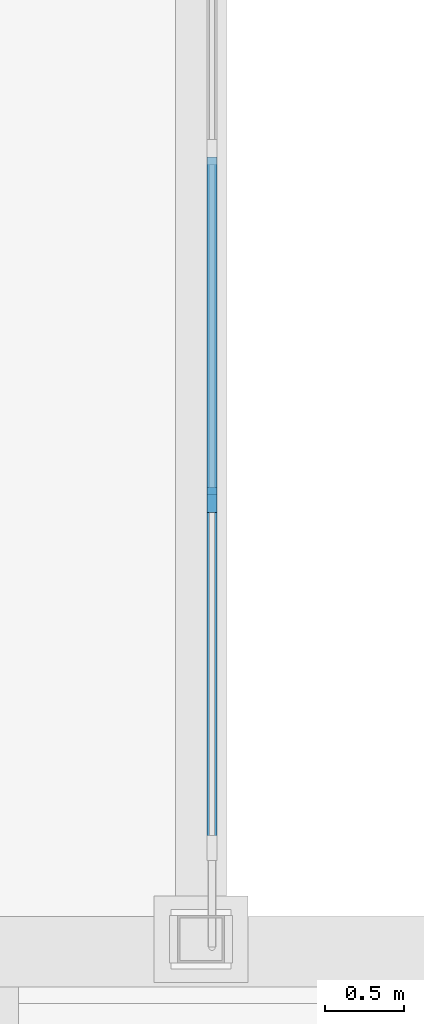
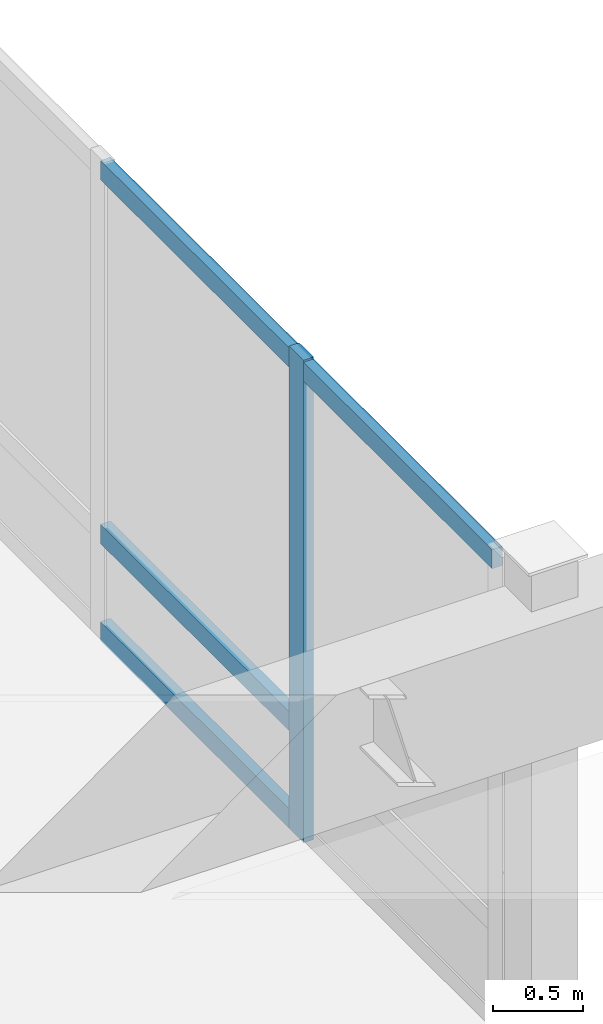
# One storey, part 44 of 118: 5 members, 1 element without a shape of its own.
"""IFC4 building model written with IfcOpenShell, lengths in metres."""

from ifc_helpers import new_model, si_unit, direction, frame, origin, origin_2d, place, context, subcontext, project, spatial, rectangle, extrude, material, material_profile, profile_set, type_object, element, aggregate, save


model = new_model("IFC4")

# Units and contexts
model_context = context("Model", 3, precision=1e-05, world=origin(), true_north=direction((0.0, 1.0)))
body_context = subcontext(model_context, "Body", "Model", "MODEL_VIEW")
ifc_project = project(units=[si_unit("LENGTHUNIT", "METRE"), si_unit("AREAUNIT", "SQUARE_METRE"), si_unit("VOLUMEUNIT", "CUBIC_METRE"), si_unit("PLANEANGLEUNIT", "RADIAN"), si_unit("MASSUNIT", "GRAM", prefix="KILO")], contexts=[model_context])

# Site, building, storey
site_placement = place(None, origin())
site = spatial("IfcSite", under=ifc_project, at=site_placement, CompositionType="ELEMENT")
building_placement = place(site_placement, origin())
building = spatial("IfcBuilding", under=site, at=building_placement, Name="Cumbredor Promenade Congress Hotel", CompositionType="ELEMENT")
storey_placement = place(building_placement, frame((0.0, 0.0, 3.919921875)))
storey = spatial("IfcBuildingStorey", under=building, at=storey_placement, Name="L01", CompositionType="ELEMENT", Elevation=3.919921875)

# Curtain wall, members
ifc_material_1 = material(Name="Thermally broken anodized aluminium and low-E glass", Category="aluminium")
curtain_wall_type = type_object("IfcCurtainWallType", Name="Unitised Bridge Glazing Screen CW-05", PredefinedType="NOTDEFINED", material=ifc_material_1)
curtain_wall_placement = place(storey_placement, origin())
curtain_wall = element("IfcCurtainWall", 1, at=curtain_wall_placement, inside=storey, type_object=curtain_wall_type, Name="L01 East Ballroom-to-Forum Glazed Bridge East Glazing Screen", PredefinedType="NOTDEFINED")
ifc_material_2 = material(Name="Thermally broken anodized aluminium", Category="aluminium")
ifc_material_profile_1 = material_profile(ifc_material_2, rectangle(XDim=0.06494140625, YDim=0.159912109375, at=origin_2d()), Name="ALU MULLION 65x160")
ifc_profile_set_1 = profile_set([ifc_material_profile_1], Name="Thermally broken anodized aluminium")
member_type_1 = type_object("IfcMemberType", Name="Curtain Wall Mullion ML-01", PredefinedType="MULLION", material=ifc_profile_set_1)
member_1_placement = place(storey_placement, frame((155.320068359375, 70.0712890625, -0.0078125), z_axis=(0.0, 0.0, 1.0), x_axis=(1.0, 0.0, 0.0)))
member_1 = element("IfcMember", 2, at=member_1_placement, type_object=member_type_1, Name="L01 East Ballroom-to-Forum Glazed Bridge East Glazing Screen Mullion 2", PredefinedType="MULLION", context=body_context, shape_type="SweptSolid", body=[
    extrude(rectangle(XDim=0.06494140625, YDim=0.159912109375, at=origin_2d()), origin(), (0.0, 0.0, 1.0), 3.27587890625),
])
ifc_material_profile_2 = material_profile(ifc_material_2, rectangle(XDim=0.06494140625, YDim=0.1298828125, at=origin_2d()), Name="ALU TRANSOM 65x130")
ifc_profile_set_2 = profile_set([ifc_material_profile_2], Name="Thermally broken anodized aluminium")
member_type_2 = type_object("IfcMemberType", Name="Curtain Wall Transom TR-01", PredefinedType="USERDEFINED", material=ifc_profile_set_2)
member_2_placement = place(storey_placement, frame((155.320068359375, 67.892578125, 3.190185546875), z_axis=(0.0, 1.0, 0.0), x_axis=(-1.0, 0.0, 0.0)))
member_2 = element("IfcMember", 3, at=member_2_placement, type_object=member_type_2, Name="L01 East Ballroom-to-Forum Glazed Bridge East Glazing Screen Transom 1.3", ObjectType="TRANSOM", PredefinedType="USERDEFINED", context=body_context, shape_type="SweptSolid", body=[
    extrude(rectangle(XDim=0.06494140625, YDim=0.1298828125, at=origin_2d()), origin(), (0.0, 0.0, 1.0), 2.146240234375),
])
member_3_placement = place(storey_placement, frame((155.320068359375, 70.10400390625, 0.06005859375), z_axis=(0.0, 1.0, 0.0), x_axis=(-1.0, 0.0, 0.0)))
member_3 = element("IfcMember", 4, at=member_3_placement, type_object=member_type_2, Name="L01 East Ballroom-to-Forum Glazed Bridge East Glazing Screen Transom 2.1", ObjectType="TRANSOM", PredefinedType="USERDEFINED", context=body_context, shape_type="SweptSolid", body=[
    extrude(rectangle(XDim=0.06494140625, YDim=0.1298828125, at=origin_2d()), origin(), (0.0, 0.0, 1.0), 2.146484375),
])
member_4_placement = place(storey_placement, frame((155.320068359375, 70.10400390625, 0.719970703125), z_axis=(0.0, 1.0, 0.0), x_axis=(-1.0, 0.0, 0.0)))
member_4 = element("IfcMember", 5, at=member_4_placement, type_object=member_type_2, Name="L01 East Ballroom-to-Forum Glazed Bridge East Glazing Screen Transom 2.2", ObjectType="TRANSOM", PredefinedType="USERDEFINED", context=body_context, shape_type="SweptSolid", body=[
    extrude(rectangle(XDim=0.06494140625, YDim=0.1298828125, at=origin_2d()), origin(), (0.0, 0.0, 1.0), 2.146484375),
])
member_5_placement = place(storey_placement, frame((155.320068359375, 70.10400390625, 3.190185546875), z_axis=(0.0, 1.0, 0.0), x_axis=(-1.0, 0.0, 0.0)))
member_5 = element("IfcMember", 6, at=member_5_placement, type_object=member_type_2, Name="L01 East Ballroom-to-Forum Glazed Bridge East Glazing Screen Transom 2.3", ObjectType="TRANSOM", PredefinedType="USERDEFINED", context=body_context, shape_type="SweptSolid", body=[
    extrude(rectangle(XDim=0.06494140625, YDim=0.1298828125, at=origin_2d()), origin(), (0.0, 0.0, 1.0), 2.146484375),
])
aggregate(curtain_wall, [member_1, member_2, member_3, member_4, member_5])

save(model, "model.ifc")
